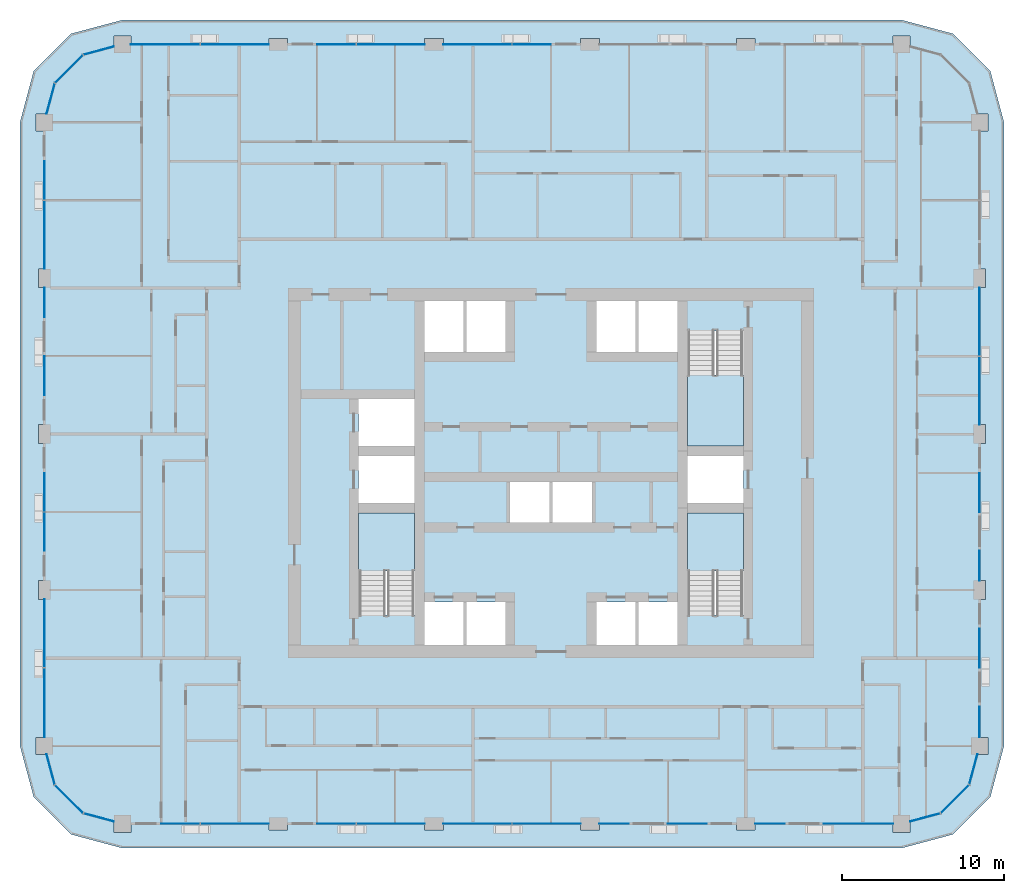
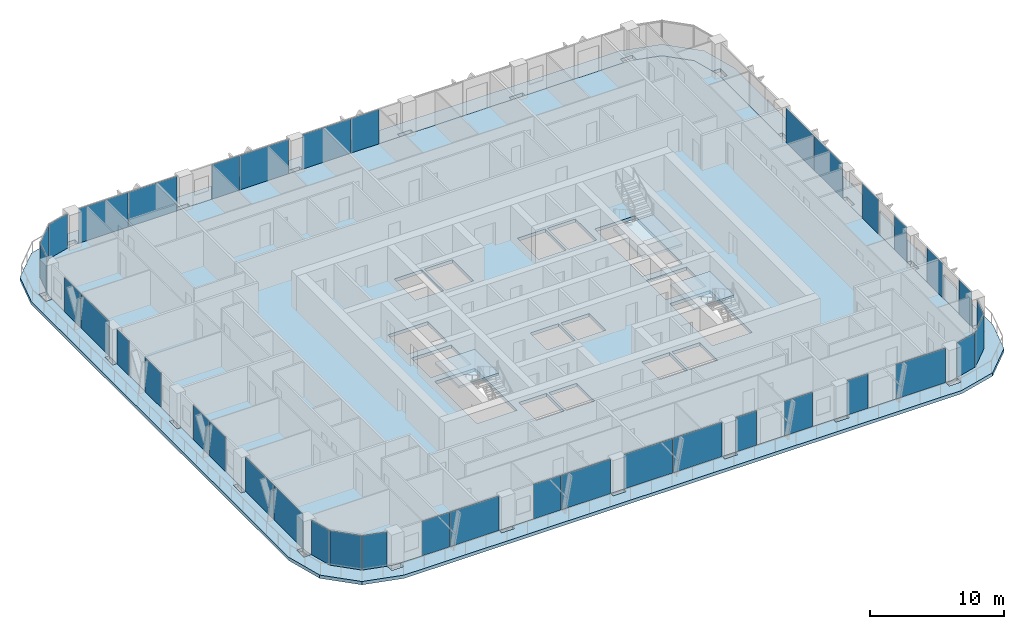
# One storey, part 7 of 22: 39 plates, 5 slabs, 21 elements without a shape of their own.
"""IFC4 building model written with IfcOpenShell, lengths in metres."""

from ifc_helpers import new_model, si_unit, direction, frame, origin, origin_2d, place, context, subcontext, project, spatial, polyline, rectangle, outline, extrude, material, layer, layer_set, type_object, element, aggregate, save


model = new_model("IFC4")

# Units and contexts
model_context = context("Model", 3, precision=1e-05, world=origin(), true_north=direction((0.0, 1.0)))
body_context = subcontext(model_context, "Body", "Model", "MODEL_VIEW")
ifc_project = project(units=[si_unit("LENGTHUNIT", "METRE"), si_unit("AREAUNIT", "SQUARE_METRE"), si_unit("VOLUMEUNIT", "CUBIC_METRE"), si_unit("PLANEANGLEUNIT", "RADIAN"), si_unit("MASSUNIT", "GRAM", prefix="KILO")], contexts=[model_context])

# Site, building, storey
site_placement = place(None, origin())
site = spatial("IfcSite", under=ifc_project, at=site_placement, CompositionType="ELEMENT")
building_placement = place(site_placement, origin())
building = spatial("IfcBuilding", under=site, at=building_placement, Name="Madar Terraces", CompositionType="ELEMENT")
storey_placement = place(building_placement, frame((0.0, 0.0, 126.10009765625)))
storey = spatial("IfcBuildingStorey", under=building, at=storey_placement, Name="L32", CompositionType="ELEMENT", Elevation=126.10009765625)

# Slabs
ifc_material_1 = material(Name="Concrete C50/60", Category="concrete")
ifc_layer_1 = layer(ifc_material_1, 0.300048828125)
ifc_layer_set_1 = layer_set([ifc_layer_1], Name="Balcony band 300")
slab_type_1 = type_object("IfcSlabType", Name="Balcony band 300", PredefinedType="FLOOR", material=ifc_layer_set_1)
slab_1_placement = place(storey_placement, frame((0.0, 0.0, -0.300048828125)))
element("IfcSlab", 1, at=slab_1_placement, inside=storey, type_object=slab_type_1, Name="Balcony band", PredefinedType="FLOOR", context=body_context, shape_type="SweptSolid", body=[
    extrude(outline(polyline([(4.800048828125, 3.300048828125), (1.64990234375, 4.14404296875), (-0.656005859375, 6.449951171875), (-1.5, 9.60009765625), (-1.5, 48.0), (-0.656005859375, 51.14990234375), (1.64990234375, 53.4560546875), (4.800048828125, 54.300048828125), (52.800048828125, 54.300048828125), (55.949951171875, 53.4560546875), (58.256103515625, 51.14990234375), (59.10009765625, 48.0), (59.10009765625, 9.60009765625), (58.256103515625, 6.449951171875), (55.949951171875, 4.14404296875), (52.800048828125, 3.300048828125), (4.800048828125, 3.300048828125)]), holes=[polyline([(5.324951171875, 4.27490234375), (5.324951171875, 4.800048828125), (13.824951171875, 4.800048828125), (13.824951171875, 4.425048828125), (14.97509765625, 4.425048828125), (14.97509765625, 4.800048828125), (23.425048828125, 4.800048828125), (23.425048828125, 4.425048828125), (24.574951171875, 4.425048828125), (24.574951171875, 4.800048828125), (33.02490234375, 4.800048828125), (33.02490234375, 4.425048828125), (34.175048828125, 4.425048828125), (34.175048828125, 4.800048828125), (42.625, 4.800048828125), (42.625, 4.425048828125), (43.77490234375, 4.425048828125), (43.77490234375, 4.800048828125), (52.27490234375, 4.800048828125), (52.27490234375, 4.27490234375), (53.324951171875, 4.27490234375), (53.324951171875, 4.940673828125), (55.199951171875, 5.443115234375), (56.956787109375, 7.199951171875), (57.459228515625, 9.074951171875), (58.125, 9.074951171875), (58.125, 10.125), (57.60009765625, 10.125), (57.60009765625, 18.625), (57.97509765625, 18.625), (57.97509765625, 19.77490234375), (57.60009765625, 19.77490234375), (57.60009765625, 28.22509765625), (57.97509765625, 28.22509765625), (57.97509765625, 29.375), (57.60009765625, 29.375), (57.60009765625, 37.824951171875), (57.97509765625, 37.824951171875), (57.97509765625, 38.97509765625), (57.60009765625, 38.97509765625), (57.60009765625, 47.47509765625), (58.125, 47.47509765625), (58.125, 48.52490234375), (57.459228515625, 48.52490234375), (56.956787109375, 50.39990234375), (55.199951171875, 52.156982421875), (53.324951171875, 52.6591796875), (53.324951171875, 53.324951171875), (52.27490234375, 53.324951171875), (52.27490234375, 52.800048828125), (43.77490234375, 52.800048828125), (43.77490234375, 53.175048828125), (42.625, 53.175048828125), (42.625, 52.800048828125), (34.175048828125, 52.800048828125), (34.175048828125, 53.175048828125), (33.02490234375, 53.175048828125), (33.02490234375, 52.800048828125), (24.574951171875, 52.800048828125), (24.574951171875, 53.175048828125), (23.425048828125, 53.175048828125), (23.425048828125, 52.800048828125), (14.97509765625, 52.800048828125), (14.97509765625, 53.175048828125), (13.824951171875, 53.175048828125), (13.824951171875, 52.800048828125), (5.324951171875, 52.800048828125), (5.324951171875, 53.324951171875), (4.27490234375, 53.324951171875), (4.27490234375, 52.6591796875), (2.39990234375, 52.156982421875), (0.64306640625, 50.39990234375), (0.140625, 48.52490234375), (-0.52490234375, 48.52490234375), (-0.52490234375, 47.47509765625), (0.0, 47.47509765625), (0.0, 38.97509765625), (-0.375, 38.97509765625), (-0.375, 37.824951171875), (0.0, 37.824951171875), (0.0, 29.375), (-0.375, 29.375), (-0.375, 28.22509765625), (0.0, 28.22509765625), (0.0, 19.77490234375), (-0.375, 19.77490234375), (-0.375, 18.625), (0.0, 18.625), (0.0, 10.125), (-0.52490234375, 10.125), (-0.52490234375, 9.074951171875), (0.140625, 9.074951171875), (0.64306640625, 7.199951171875), (2.39990234375, 5.443115234375), (4.27490234375, 4.940673828125), (4.27490234375, 4.27490234375), (5.324951171875, 4.27490234375)])]), origin(), (0.0, 0.0, 1.0), 0.300048828125),
])
ifc_material_2 = material(Name="Concrete C50/60", Category="concrete")
ifc_layer_2 = layer(ifc_material_2, 0.300048828125)
ifc_layer_set_2 = layer_set([ifc_layer_2], Name="FS2 PT flat slab 300")
slab_type_2 = type_object("IfcSlabType", Name="FS2 PT flat slab 300", PredefinedType="FLOOR", material=ifc_layer_set_2)
slab_2_placement = place(storey_placement, frame((0.0, 0.0, -0.300048828125)))
element("IfcSlab", 2, at=slab_2_placement, inside=storey, type_object=slab_type_2, Name="Floor slab L32 (1)", PredefinedType="FLOOR", context=body_context, shape_type="SweptSolid", body=[
    extrude(outline(polyline([(52.800048828125, 4.800048828125), (55.199951171875, 5.443115234375), (56.95703125, 7.199951171875), (57.60009765625, 9.60009765625), (57.60009765625, 48.0), (56.95703125, 50.39990234375), (55.199951171875, 52.156982421875), (52.800048828125, 52.800048828125), (4.800048828125, 52.800048828125), (2.39990234375, 52.156982421875), (0.64306640625, 50.39990234375), (0.0, 48.0), (0.0, 9.60009765625), (0.64306640625, 7.199951171875), (2.39990234375, 5.443115234375), (4.800048828125, 4.800048828125), (52.800048828125, 4.800048828125)]), holes=[polyline([(23.39990234375, 15.800048828125), (23.39990234375, 18.449951171875), (25.800048828125, 18.449951171875), (25.800048828125, 15.800048828125), (23.39990234375, 15.800048828125)]), polyline([(26.0, 15.800048828125), (26.0, 18.449951171875), (28.39990234375, 18.449951171875), (28.39990234375, 15.800048828125), (26.0, 15.800048828125)]), polyline([(19.35009765625, 17.64990234375), (19.35009765625, 23.949951171875), (22.800048828125, 23.949951171875), (22.800048828125, 17.64990234375), (19.35009765625, 17.64990234375)]), polyline([(28.666748046875, 23.35009765625), (28.666748046875, 25.85009765625), (31.10009765625, 25.85009765625), (31.10009765625, 23.35009765625), (28.666748046875, 23.35009765625)]), polyline([(19.35009765625, 24.550048828125), (19.35009765625, 27.449951171875), (22.800048828125, 27.449951171875), (22.800048828125, 24.550048828125), (19.35009765625, 24.550048828125)]), polyline([(19.35009765625, 28.050048828125), (19.35009765625, 30.949951171875), (22.800048828125, 30.949951171875), (22.800048828125, 28.050048828125), (19.35009765625, 28.050048828125)]), polyline([(23.39990234375, 33.85009765625), (23.39990234375, 37.0), (25.800048828125, 37.0), (25.800048828125, 33.85009765625), (23.39990234375, 33.85009765625)]), polyline([(26.0, 33.85009765625), (26.0, 37.0), (28.39990234375, 37.0), (28.39990234375, 33.85009765625), (26.0, 33.85009765625)]), polyline([(34.0, 15.800048828125), (34.0, 18.449951171875), (36.39990234375, 18.449951171875), (36.39990234375, 15.800048828125), (34.0, 15.800048828125)]), polyline([(36.60009765625, 15.800048828125), (36.60009765625, 18.449951171875), (39.0, 18.449951171875), (39.0, 15.800048828125), (36.60009765625, 15.800048828125)]), polyline([(39.60009765625, 17.64990234375), (39.60009765625, 23.949951171875), (43.050048828125, 23.949951171875), (43.050048828125, 17.64990234375), (39.60009765625, 17.64990234375)]), polyline([(31.300048828125, 23.35009765625), (31.300048828125, 25.85009765625), (33.7333984375, 25.85009765625), (33.7333984375, 23.35009765625), (31.300048828125, 23.35009765625)]), polyline([(39.60009765625, 24.550048828125), (39.60009765625, 27.449951171875), (43.050048828125, 27.449951171875), (43.050048828125, 24.550048828125), (39.60009765625, 24.550048828125)]), polyline([(39.60009765625, 28.050048828125), (39.60009765625, 35.14990234375), (43.050048828125, 35.14990234375), (43.050048828125, 28.050048828125), (39.60009765625, 28.050048828125)]), polyline([(34.0, 33.85009765625), (34.0, 37.0), (36.39990234375, 37.0), (36.39990234375, 33.85009765625), (34.0, 33.85009765625)]), polyline([(36.60009765625, 33.85009765625), (36.60009765625, 37.0), (39.0, 37.0), (39.0, 33.85009765625), (36.60009765625, 33.85009765625)])]), origin(), (0.0, 0.0, 1.0), 0.300048828125),
])

# Curtain wall, plates
ifc_material_3 = material(Name="Glass, ceramic frit dark grey, with black aluminium frame", Category="aluminium")
ifc_layer_3 = layer(ifc_material_3, 0.199951171875)
ifc_layer_set_3 = layer_set([ifc_layer_3], Name="Facade curtain wall, fritted glass")
curtain_wall_type = type_object("IfcCurtainWallType", Name="Facade curtain wall, fritted glass", PredefinedType="NOTDEFINED", material=ifc_layer_set_3)
curtain_wall_1_placement = place(storey_placement, origin())
curtain_wall_1 = element("IfcCurtainWall", 3, at=curtain_wall_1_placement, inside=storey, type_object=curtain_wall_type, Name="Outer skin curtain wall south bay 1", PredefinedType="NOTDEFINED")
ifc_material_4 = material(Name="Glass, ceramic frit dark grey", Category="glass")
ifc_layer_4 = layer(ifc_material_4, 0.028076171875)
ifc_layer_set_4 = layer_set([ifc_layer_4], Name="Facade glass panel 28")
plate_type = type_object("IfcPlateType", Name="Facade glass panel 28", PredefinedType="CURTAIN_PANEL", material=ifc_layer_set_4)
plate_1_placement = place(storey_placement, frame((8.385009765625, 4.800048828125, 0.0), z_axis=(0.0, 0.0, 1.0), x_axis=(1.0, 0.0, 0.0)))
plate_1 = element("IfcPlate", 4, at=plate_1_placement, type_object=plate_type, Name="Panel 1", PredefinedType="CURTAIN_PANEL", context=body_context, shape_type="SweptSolid", body=[
    extrude(rectangle(XDim=2.3701171875, YDim=0.028076171875, at=origin_2d()), origin(), (0.0, 0.0, 1.0), 3.139892578125),
])
plate_2_placement = place(storey_placement, frame((11.7275390625, 4.800048828125, 0.0), z_axis=(0.0, 0.0, 1.0), x_axis=(1.0, 0.0, 0.0)))
plate_2 = element("IfcPlate", 5, at=plate_2_placement, type_object=plate_type, Name="Panel 2", PredefinedType="CURTAIN_PANEL", context=body_context, shape_type="SweptSolid", body=[
    extrude(rectangle(XDim=4.195068359375, YDim=0.028076171875, at=origin_2d()), origin(), (0.0, 0.0, 1.0), 3.139892578125),
])
aggregate(curtain_wall_1, [plate_1, plate_2])

curtain_wall_2_placement = place(storey_placement, origin())
curtain_wall_2 = element("IfcCurtainWall", 6, at=curtain_wall_2_placement, inside=storey, type_object=curtain_wall_type, Name="Outer skin curtain wall south bay 2", PredefinedType="NOTDEFINED")
plate_3_placement = place(storey_placement, frame((17.985107421875, 4.800048828125, 0.0), z_axis=(0.0, 0.0, 1.0), x_axis=(1.0, 0.0, 0.0)))
plate_3 = element("IfcPlate", 7, at=plate_3_placement, type_object=plate_type, Name="Panel 1", PredefinedType="CURTAIN_PANEL", context=body_context, shape_type="SweptSolid", body=[
    extrude(rectangle(XDim=2.3701171875, YDim=0.028076171875, at=origin_2d()), origin(), (0.0, 0.0, 1.0), 3.139892578125),
])
plate_4_placement = place(storey_placement, frame((21.327392578125, 4.800048828125, 0.0), z_axis=(0.0, 0.0, 1.0), x_axis=(1.0, 0.0, 0.0)))
plate_4 = element("IfcPlate", 8, at=plate_4_placement, type_object=plate_type, Name="Panel 2", PredefinedType="CURTAIN_PANEL", context=body_context, shape_type="SweptSolid", body=[
    extrude(rectangle(XDim=4.195068359375, YDim=0.028076171875, at=origin_2d()), origin(), (0.0, 0.0, 1.0), 3.139892578125),
])
aggregate(curtain_wall_2, [plate_3, plate_4])

curtain_wall_3_placement = place(storey_placement, origin())
curtain_wall_3 = element("IfcCurtainWall", 9, at=curtain_wall_3_placement, inside=storey, type_object=curtain_wall_type, Name="Outer skin curtain wall south bay 3", PredefinedType="NOTDEFINED")
plate_5_placement = place(storey_placement, frame((26.672607421875, 4.800048828125, 0.0), z_axis=(0.0, 0.0, 1.0), x_axis=(1.0, 0.0, 0.0)))
plate_5 = element("IfcPlate", 10, at=plate_5_placement, type_object=plate_type, Name="Panel 1", PredefinedType="CURTAIN_PANEL", context=body_context, shape_type="SweptSolid", body=[
    extrude(rectangle(XDim=4.195068359375, YDim=0.028076171875, at=origin_2d()), origin(), (0.0, 0.0, 1.0), 3.139892578125),
])
plate_6_placement = place(storey_placement, frame((30.927490234375, 4.800048828125, 0.0), z_axis=(0.0, 0.0, 1.0), x_axis=(1.0, 0.0, 0.0)))
plate_6 = element("IfcPlate", 11, at=plate_6_placement, type_object=plate_type, Name="Panel 2", PredefinedType="CURTAIN_PANEL", context=body_context, shape_type="SweptSolid", body=[
    extrude(rectangle(XDim=4.195068359375, YDim=0.028076171875, at=origin_2d()), origin(), (0.0, 0.0, 1.0), 3.139892578125),
])
aggregate(curtain_wall_3, [plate_5, plate_6])

curtain_wall_4_placement = place(storey_placement, origin())
curtain_wall_4 = element("IfcCurtainWall", 12, at=curtain_wall_4_placement, inside=storey, type_object=curtain_wall_type, Name="Outer skin curtain wall south bay 4", PredefinedType="NOTDEFINED")
plate_7_placement = place(storey_placement, frame((35.08740234375, 4.800048828125, 0.0), z_axis=(0.0, 0.0, 1.0), x_axis=(1.0, 0.0, 0.0)))
plate_7 = element("IfcPlate", 13, at=plate_7_placement, type_object=plate_type, Name="Panel 1", PredefinedType="CURTAIN_PANEL", context=body_context, shape_type="SweptSolid", body=[
    extrude(rectangle(XDim=1.824951171875, YDim=0.028076171875, at=origin_2d()), origin(), (0.0, 0.0, 1.0), 3.139892578125),
])
plate_8_placement = place(storey_placement, frame((39.60009765625, 4.800048828125, 0.0), z_axis=(0.0, 0.0, 1.0), x_axis=(1.0, 0.0, 0.0)))
plate_8 = element("IfcPlate", 14, at=plate_8_placement, type_object=plate_type, Name="Panel 2", PredefinedType="CURTAIN_PANEL", context=body_context, shape_type="SweptSolid", body=[
    extrude(rectangle(XDim=2.39990234375, YDim=0.028076171875, at=origin_2d()), origin(), (0.0, 0.0, 1.0), 3.139892578125),
])
aggregate(curtain_wall_4, [plate_7, plate_8])

curtain_wall_5_placement = place(storey_placement, origin())
curtain_wall_5 = element("IfcCurtainWall", 15, at=curtain_wall_5_placement, inside=storey, type_object=curtain_wall_type, Name="Outer skin curtain wall south bay 5", PredefinedType="NOTDEFINED")
plate_9_placement = place(storey_placement, frame((44.6875, 4.800048828125, 0.0), z_axis=(0.0, 0.0, 1.0), x_axis=(1.0, 0.0, 0.0)))
plate_9 = element("IfcPlate", 16, at=plate_9_placement, type_object=plate_type, Name="Panel 1", PredefinedType="CURTAIN_PANEL", context=body_context, shape_type="SweptSolid", body=[
    extrude(rectangle(XDim=1.824951171875, YDim=0.028076171875, at=origin_2d()), origin(), (0.0, 0.0, 1.0), 3.139892578125),
])
plate_10_placement = place(storey_placement, frame((50.137451171875, 4.800048828125, 0.0), z_axis=(0.0, 0.0, 1.0), x_axis=(1.0, 0.0, 0.0)))
plate_10 = element("IfcPlate", 17, at=plate_10_placement, type_object=plate_type, Name="Panel 2", PredefinedType="CURTAIN_PANEL", context=body_context, shape_type="SweptSolid", body=[
    extrude(rectangle(XDim=4.27490234375, YDim=0.028076171875, at=origin_2d()), origin(), (0.0, 0.0, 1.0), 3.139892578125),
])
aggregate(curtain_wall_5, [plate_9, plate_10])

curtain_wall_6_placement = place(storey_placement, origin())
curtain_wall_6 = element("IfcCurtainWall", 18, at=curtain_wall_6_placement, inside=storey, type_object=curtain_wall_type, Name="Outer skin curtain wall east bay 1", PredefinedType="NOTDEFINED")
plate_11_placement = place(storey_placement, frame((57.60009765625, 11.0625, 0.0), z_axis=(0.0, 0.0, 1.0), x_axis=(0.0, 1.0, 0.0)))
plate_11 = element("IfcPlate", 19, at=plate_11_placement, type_object=plate_type, Name="Panel 1", PredefinedType="CURTAIN_PANEL", context=body_context, shape_type="SweptSolid", body=[
    extrude(rectangle(XDim=1.875, YDim=0.028076171875, at=origin_2d()), origin(), (0.0, 0.0, 1.0), 3.139892578125),
])
plate_12_placement = place(storey_placement, frame((57.60009765625, 15.60009765625, 0.0), z_axis=(0.0, 0.0, 1.0), x_axis=(0.0, 1.0, 0.0)))
plate_12 = element("IfcPlate", 20, at=plate_12_placement, type_object=plate_type, Name="Panel 2", PredefinedType="CURTAIN_PANEL", context=body_context, shape_type="SweptSolid", body=[
    extrude(rectangle(XDim=2.39990234375, YDim=0.028076171875, at=origin_2d()), origin(), (0.0, 0.0, 1.0), 3.139892578125),
])
aggregate(curtain_wall_6, [plate_11, plate_12])

curtain_wall_7_placement = place(storey_placement, origin())
curtain_wall_7 = element("IfcCurtainWall", 21, at=curtain_wall_7_placement, inside=storey, type_object=curtain_wall_type, Name="Outer skin curtain wall east bay 2", PredefinedType="NOTDEFINED")
plate_13_placement = place(storey_placement, frame((57.60009765625, 20.6875, 0.0), z_axis=(0.0, 0.0, 1.0), x_axis=(0.0, 1.0, 0.0)))
plate_13 = element("IfcPlate", 22, at=plate_13_placement, type_object=plate_type, Name="Panel 1", PredefinedType="CURTAIN_PANEL", context=body_context, shape_type="SweptSolid", body=[
    extrude(rectangle(XDim=1.824951171875, YDim=0.028076171875, at=origin_2d()), origin(), (0.0, 0.0, 1.0), 3.139892578125),
])
plate_14_placement = place(storey_placement, frame((57.60009765625, 25.199951171875, 0.0), z_axis=(0.0, 0.0, 1.0), x_axis=(0.0, 1.0, 0.0)))
plate_14 = element("IfcPlate", 23, at=plate_14_placement, type_object=plate_type, Name="Panel 2", PredefinedType="CURTAIN_PANEL", context=body_context, shape_type="SweptSolid", body=[
    extrude(rectangle(XDim=2.39990234375, YDim=0.028076171875, at=origin_2d()), origin(), (0.0, 0.0, 1.0), 3.139892578125),
])
aggregate(curtain_wall_7, [plate_13, plate_14])

curtain_wall_8_placement = place(storey_placement, origin())
curtain_wall_8 = element("IfcCurtainWall", 24, at=curtain_wall_8_placement, inside=storey, type_object=curtain_wall_type, Name="Outer skin curtain wall east bay 3", PredefinedType="NOTDEFINED")
plate_15_placement = place(storey_placement, frame((57.60009765625, 31.472412109375, 0.0), z_axis=(0.0, 0.0, 1.0), x_axis=(0.0, 1.0, 0.0)))
plate_15 = element("IfcPlate", 25, at=plate_15_placement, type_object=plate_type, Name="Panel 1", PredefinedType="CURTAIN_PANEL", context=body_context, shape_type="SweptSolid", body=[
    extrude(rectangle(XDim=4.195068359375, YDim=0.028076171875, at=origin_2d()), origin(), (0.0, 0.0, 1.0), 3.139892578125),
])
plate_16_placement = place(storey_placement, frame((57.60009765625, 35.7275390625, 0.0), z_axis=(0.0, 0.0, 1.0), x_axis=(0.0, 1.0, 0.0)))
plate_16 = element("IfcPlate", 26, at=plate_16_placement, type_object=plate_type, Name="Panel 2", PredefinedType="CURTAIN_PANEL", context=body_context, shape_type="SweptSolid", body=[
    extrude(rectangle(XDim=4.195068359375, YDim=0.028076171875, at=origin_2d()), origin(), (0.0, 0.0, 1.0), 3.139892578125),
])
aggregate(curtain_wall_8, [plate_15, plate_16])

curtain_wall_9_placement = place(storey_placement, origin())
curtain_wall_9 = element("IfcCurtainWall", 27, at=curtain_wall_9_placement, inside=storey, type_object=curtain_wall_type, Name="Outer skin curtain wall north bay 3", PredefinedType="NOTDEFINED")
plate_17_placement = place(storey_placement, frame((30.014892578125, 52.800048828125, 0.0), z_axis=(0.0, 0.0, 1.0), x_axis=(-1.0, 0.0, 0.0)))
plate_17 = element("IfcPlate", 28, at=plate_17_placement, type_object=plate_type, Name="Panel 1", PredefinedType="CURTAIN_PANEL", context=body_context, shape_type="SweptSolid", body=[
    extrude(rectangle(XDim=2.3701171875, YDim=0.028076171875, at=origin_2d()), origin(), (0.0, 0.0, 1.0), 3.139892578125),
])
plate_18_placement = place(storey_placement, frame((26.672607421875, 52.800048828125, 0.0), z_axis=(0.0, 0.0, 1.0), x_axis=(-1.0, 0.0, 0.0)))
plate_18 = element("IfcPlate", 29, at=plate_18_placement, type_object=plate_type, Name="Panel 2", PredefinedType="CURTAIN_PANEL", context=body_context, shape_type="SweptSolid", body=[
    extrude(rectangle(XDim=4.195068359375, YDim=0.028076171875, at=origin_2d()), origin(), (0.0, 0.0, 1.0), 3.139892578125),
])
aggregate(curtain_wall_9, [plate_17, plate_18])

curtain_wall_10_placement = place(storey_placement, origin())
curtain_wall_10 = element("IfcCurtainWall", 30, at=curtain_wall_10_placement, inside=storey, type_object=curtain_wall_type, Name="Outer skin curtain wall north bay 4", PredefinedType="NOTDEFINED")
plate_19_placement = place(storey_placement, frame((21.327392578125, 52.800048828125, 0.0), z_axis=(0.0, 0.0, 1.0), x_axis=(-1.0, 0.0, 0.0)))
plate_19 = element("IfcPlate", 31, at=plate_19_placement, type_object=plate_type, Name="Panel 1", PredefinedType="CURTAIN_PANEL", context=body_context, shape_type="SweptSolid", body=[
    extrude(rectangle(XDim=4.195068359375, YDim=0.028076171875, at=origin_2d()), origin(), (0.0, 0.0, 1.0), 3.139892578125),
])
plate_20_placement = place(storey_placement, frame((17.985107421875, 52.800048828125, 0.0), z_axis=(0.0, 0.0, 1.0), x_axis=(-1.0, 0.0, 0.0)))
plate_20 = element("IfcPlate", 32, at=plate_20_placement, type_object=plate_type, Name="Panel 2", PredefinedType="CURTAIN_PANEL", context=body_context, shape_type="SweptSolid", body=[
    extrude(rectangle(XDim=2.3701171875, YDim=0.028076171875, at=origin_2d()), origin(), (0.0, 0.0, 1.0), 3.139892578125),
])
aggregate(curtain_wall_10, [plate_19, plate_20])

curtain_wall_11_placement = place(storey_placement, origin())
curtain_wall_11 = element("IfcCurtainWall", 33, at=curtain_wall_11_placement, inside=storey, type_object=curtain_wall_type, Name="Outer skin curtain wall north bay 5", PredefinedType="NOTDEFINED")
plate_21_placement = place(storey_placement, frame((11.7275390625, 52.800048828125, 0.0), z_axis=(0.0, 0.0, 1.0), x_axis=(-1.0, 0.0, 0.0)))
plate_21 = element("IfcPlate", 34, at=plate_21_placement, type_object=plate_type, Name="Panel 1", PredefinedType="CURTAIN_PANEL", context=body_context, shape_type="SweptSolid", body=[
    extrude(rectangle(XDim=4.195068359375, YDim=0.028076171875, at=origin_2d()), origin(), (0.0, 0.0, 1.0), 3.139892578125),
])
plate_22_placement = place(storey_placement, frame((7.447509765625, 52.800048828125, 0.0), z_axis=(0.0, 0.0, 1.0), x_axis=(-1.0, 0.0, 0.0)))
plate_22 = element("IfcPlate", 35, at=plate_22_placement, type_object=plate_type, Name="Panel 2", PredefinedType="CURTAIN_PANEL", context=body_context, shape_type="SweptSolid", body=[
    extrude(rectangle(XDim=4.2451171875, YDim=0.028076171875, at=origin_2d()), origin(), (0.0, 0.0, 1.0), 3.139892578125),
])
aggregate(curtain_wall_11, [plate_21, plate_22])

curtain_wall_12_placement = place(storey_placement, origin())
curtain_wall_12 = element("IfcCurtainWall", 36, at=curtain_wall_12_placement, inside=storey, type_object=curtain_wall_type, Name="Outer skin curtain wall west bay 1", PredefinedType="NOTDEFINED")
plate_23_placement = place(storey_placement, frame((0.0, 44.4150390625, 0.0), z_axis=(0.0, 0.0, 1.0), x_axis=(0.0, -1.0, 0.0)))
plate_23 = element("IfcPlate", 37, at=plate_23_placement, type_object=plate_type, Name="Panel 1", PredefinedType="CURTAIN_PANEL", context=body_context, shape_type="SweptSolid", body=[
    extrude(rectangle(XDim=2.3701171875, YDim=0.028076171875, at=origin_2d()), origin(), (0.0, 0.0, 1.0), 3.139892578125),
])
plate_24_placement = place(storey_placement, frame((0.0, 41.072509765625, 0.0), z_axis=(0.0, 0.0, 1.0), x_axis=(0.0, -1.0, 0.0)))
plate_24 = element("IfcPlate", 38, at=plate_24_placement, type_object=plate_type, Name="Panel 2", PredefinedType="CURTAIN_PANEL", context=body_context, shape_type="SweptSolid", body=[
    extrude(rectangle(XDim=4.195068359375, YDim=0.028076171875, at=origin_2d()), origin(), (0.0, 0.0, 1.0), 3.139892578125),
])
aggregate(curtain_wall_12, [plate_23, plate_24])

curtain_wall_13_placement = place(storey_placement, origin())
curtain_wall_13 = element("IfcCurtainWall", 39, at=curtain_wall_13_placement, inside=storey, type_object=curtain_wall_type, Name="Outer skin curtain wall west bay 2", PredefinedType="NOTDEFINED")
plate_25_placement = place(storey_placement, frame((0.0, 36.91259765625, 0.0), z_axis=(0.0, 0.0, 1.0), x_axis=(0.0, -1.0, 0.0)))
plate_25 = element("IfcPlate", 40, at=plate_25_placement, type_object=plate_type, Name="Panel 1", PredefinedType="CURTAIN_PANEL", context=body_context, shape_type="SweptSolid", body=[
    extrude(rectangle(XDim=1.824951171875, YDim=0.028076171875, at=origin_2d()), origin(), (0.0, 0.0, 1.0), 3.139892578125),
])
plate_26_placement = place(storey_placement, frame((0.0, 32.39990234375, 0.0), z_axis=(0.0, 0.0, 1.0), x_axis=(0.0, -1.0, 0.0)))
plate_26 = element("IfcPlate", 41, at=plate_26_placement, type_object=plate_type, Name="Panel 2", PredefinedType="CURTAIN_PANEL", context=body_context, shape_type="SweptSolid", body=[
    extrude(rectangle(XDim=2.39990234375, YDim=0.028076171875, at=origin_2d()), origin(), (0.0, 0.0, 1.0), 3.139892578125),
])
aggregate(curtain_wall_13, [plate_25, plate_26])

curtain_wall_14_placement = place(storey_placement, origin())
curtain_wall_14 = element("IfcCurtainWall", 42, at=curtain_wall_14_placement, inside=storey, type_object=curtain_wall_type, Name="Outer skin curtain wall west bay 3", PredefinedType="NOTDEFINED")
plate_27_placement = place(storey_placement, frame((0.0, 25.215087890625, 0.0), z_axis=(0.0, 0.0, 1.0), x_axis=(0.0, -1.0, 0.0)))
plate_27 = element("IfcPlate", 43, at=plate_27_placement, type_object=plate_type, Name="Panel 1", PredefinedType="CURTAIN_PANEL", context=body_context, shape_type="SweptSolid", body=[
    extrude(rectangle(XDim=2.3701171875, YDim=0.028076171875, at=origin_2d()), origin(), (0.0, 0.0, 1.0), 3.139892578125),
])
plate_28_placement = place(storey_placement, frame((0.0, 22.784912109375, 0.0), z_axis=(0.0, 0.0, 1.0), x_axis=(0.0, -1.0, 0.0)))
plate_28 = element("IfcPlate", 44, at=plate_28_placement, type_object=plate_type, Name="Panel 2", PredefinedType="CURTAIN_PANEL", context=body_context, shape_type="SweptSolid", body=[
    extrude(rectangle(XDim=2.3701171875, YDim=0.028076171875, at=origin_2d()), origin(), (0.0, 0.0, 1.0), 3.139892578125),
])
aggregate(curtain_wall_14, [plate_27, plate_28])

curtain_wall_15_placement = place(storey_placement, origin())
curtain_wall_15 = element("IfcCurtainWall", 45, at=curtain_wall_15_placement, inside=storey, type_object=curtain_wall_type, Name="Outer skin curtain wall west bay 4", PredefinedType="NOTDEFINED")
plate_29_placement = place(storey_placement, frame((0.0, 16.527587890625, 0.0), z_axis=(0.0, 0.0, 1.0), x_axis=(0.0, -1.0, 0.0)))
plate_29 = element("IfcPlate", 46, at=plate_29_placement, type_object=plate_type, Name="Panel 1", PredefinedType="CURTAIN_PANEL", context=body_context, shape_type="SweptSolid", body=[
    extrude(rectangle(XDim=4.195068359375, YDim=0.028076171875, at=origin_2d()), origin(), (0.0, 0.0, 1.0), 3.139892578125),
])
plate_30_placement = place(storey_placement, frame((0.0, 12.24755859375, 0.0), z_axis=(0.0, 0.0, 1.0), x_axis=(0.0, -1.0, 0.0)))
plate_30 = element("IfcPlate", 47, at=plate_30_placement, type_object=plate_type, Name="Panel 2", PredefinedType="CURTAIN_PANEL", context=body_context, shape_type="SweptSolid", body=[
    extrude(rectangle(XDim=4.2451171875, YDim=0.028076171875, at=origin_2d()), origin(), (0.0, 0.0, 1.0), 3.139892578125),
])
aggregate(curtain_wall_15, [plate_29, plate_30])

curtain_wall_16_placement = place(storey_placement, origin())
curtain_wall_16 = element("IfcCurtainWall", 48, at=curtain_wall_16_placement, inside=storey, type_object=curtain_wall_type, Name="Outer skin curtain wall south-east corner", PredefinedType="NOTDEFINED")
plate_31_placement = place(storey_placement, frame((54.248046875, 5.18798828125, 0.0), z_axis=(0.0, 0.0, 1.0), x_axis=(0.965925832509, 0.258819021888, 0.0)))
plate_31 = element("IfcPlate", 49, at=plate_31_placement, type_object=plate_type, Name="Panel 1", PredefinedType="CURTAIN_PANEL", context=body_context, shape_type="SweptSolid", body=[
    extrude(rectangle(XDim=1.9111328125, YDim=0.028076171875, at=origin_2d()), origin(), (0.0, 0.0, 1.0), 3.139892578125),
])
plate_32_placement = place(storey_placement, frame((56.078369140625, 6.321533203125, 0.0), z_axis=(0.0, 0.0, 1.0), x_axis=(0.707106781187, 0.707106781187, 0.0)))
plate_32 = element("IfcPlate", 50, at=plate_32_placement, type_object=plate_type, Name="Panel 2", PredefinedType="CURTAIN_PANEL", context=body_context, shape_type="SweptSolid", body=[
    extrude(rectangle(XDim=2.424560546875, YDim=0.028076171875, at=origin_2d()), origin(), (0.0, 0.0, 1.0), 3.139892578125),
])
plate_33_placement = place(storey_placement, frame((57.2119140625, 8.152099609375, 0.0), z_axis=(0.0, 0.0, 1.0), x_axis=(0.258819021888, 0.965925832509, 0.0)))
plate_33 = element("IfcPlate", 51, at=plate_33_placement, type_object=plate_type, Name="Panel 3", PredefinedType="CURTAIN_PANEL", context=body_context, shape_type="SweptSolid", body=[
    extrude(rectangle(XDim=1.9111328125, YDim=0.028076171875, at=origin_2d()), origin(), (0.0, 0.0, 1.0), 3.139892578125),
])
aggregate(curtain_wall_16, [plate_31, plate_32, plate_33])

curtain_wall_17_placement = place(storey_placement, origin())
curtain_wall_17 = element("IfcCurtainWall", 52, at=curtain_wall_17_placement, inside=storey, type_object=curtain_wall_type, Name="Outer skin curtain wall north-west corner", PredefinedType="NOTDEFINED")
plate_34_placement = place(storey_placement, frame((3.35205078125, 52.412109375, 0.0), z_axis=(0.0, 0.0, 1.0), x_axis=(-0.965925832509, -0.258819021888, 0.0)))
plate_34 = element("IfcPlate", 53, at=plate_34_placement, type_object=plate_type, Name="Panel 1", PredefinedType="CURTAIN_PANEL", context=body_context, shape_type="SweptSolid", body=[
    extrude(rectangle(XDim=1.9111328125, YDim=0.028076171875, at=origin_2d()), origin(), (0.0, 0.0, 1.0), 3.139892578125),
])
plate_35_placement = place(storey_placement, frame((1.521484375, 51.278564453125, 0.0), z_axis=(0.0, 0.0, 1.0), x_axis=(-0.707106781187, -0.707106781187, 0.0)))
plate_35 = element("IfcPlate", 54, at=plate_35_placement, type_object=plate_type, Name="Panel 2", PredefinedType="CURTAIN_PANEL", context=body_context, shape_type="SweptSolid", body=[
    extrude(rectangle(XDim=2.424560546875, YDim=0.028076171875, at=origin_2d()), origin(), (0.0, 0.0, 1.0), 3.139892578125),
])
plate_36_placement = place(storey_placement, frame((0.387939453125, 49.447998046875, 0.0), z_axis=(0.0, 0.0, 1.0), x_axis=(-0.258819021888, -0.965925832509, 0.0)))
plate_36 = element("IfcPlate", 55, at=plate_36_placement, type_object=plate_type, Name="Panel 3", PredefinedType="CURTAIN_PANEL", context=body_context, shape_type="SweptSolid", body=[
    extrude(rectangle(XDim=1.9111328125, YDim=0.028076171875, at=origin_2d()), origin(), (0.0, 0.0, 1.0), 3.139892578125),
])
aggregate(curtain_wall_17, [plate_34, plate_35, plate_36])

curtain_wall_18_placement = place(storey_placement, origin())
curtain_wall_18 = element("IfcCurtainWall", 56, at=curtain_wall_18_placement, inside=storey, type_object=curtain_wall_type, Name="Outer skin curtain wall south-west corner", PredefinedType="NOTDEFINED")
plate_37_placement = place(storey_placement, frame((0.387939453125, 8.152099609375, 0.0), z_axis=(0.0, 0.0, 1.0), x_axis=(0.258819021888, -0.965925832509, 0.0)))
plate_37 = element("IfcPlate", 57, at=plate_37_placement, type_object=plate_type, Name="Panel 1", PredefinedType="CURTAIN_PANEL", context=body_context, shape_type="SweptSolid", body=[
    extrude(rectangle(XDim=1.9111328125, YDim=0.028076171875, at=origin_2d()), origin(), (0.0, 0.0, 1.0), 3.139892578125),
])
plate_38_placement = place(storey_placement, frame((1.521484375, 6.321533203125, 0.0), z_axis=(0.0, 0.0, 1.0), x_axis=(0.707106781187, -0.707106781187, 0.0)))
plate_38 = element("IfcPlate", 58, at=plate_38_placement, type_object=plate_type, Name="Panel 2", PredefinedType="CURTAIN_PANEL", context=body_context, shape_type="SweptSolid", body=[
    extrude(rectangle(XDim=2.424560546875, YDim=0.028076171875, at=origin_2d()), origin(), (0.0, 0.0, 1.0), 3.139892578125),
])
plate_39_placement = place(storey_placement, frame((3.35205078125, 5.18798828125, 0.0), z_axis=(0.0, 0.0, 1.0), x_axis=(0.965925832509, -0.258819021888, 0.0)))
plate_39 = element("IfcPlate", 59, at=plate_39_placement, type_object=plate_type, Name="Panel 3", PredefinedType="CURTAIN_PANEL", context=body_context, shape_type="SweptSolid", body=[
    extrude(rectangle(XDim=1.9111328125, YDim=0.028076171875, at=origin_2d()), origin(), (0.0, 0.0, 1.0), 3.139892578125),
])
aggregate(curtain_wall_18, [plate_37, plate_38, plate_39])

# Stair, slab
ifc_material_5 = material(Name="Concrete C50/60", Category="concrete")
stair_type_1 = type_object("IfcStairType", Name="Stair ST1 protected exit", PredefinedType="HALF_TURN_STAIR", material=ifc_material_5)
stair_1_placement = place(storey_placement, origin())
stair_1 = element("IfcStair", 60, at=stair_1_placement, inside=storey, type_object=stair_type_1, Name="L32 Protected Exit Stair ST1", PredefinedType="HALF_TURN_STAIR")
ifc_material_6 = material(Name="Concrete C50/60", Category="concrete")
ifc_layer_5 = layer(ifc_material_6, 0.199951171875)
ifc_layer_set_5 = layer_set([ifc_layer_5], Name="Stair landing 200, top +1.75")
slab_type_3 = type_object("IfcSlabType", Name="Stair landing 200, top +1.75", PredefinedType="LANDING", material=ifc_layer_set_5)
slab_3_placement = place(storey_placement, frame((0.0, 0.0, 1.5498046875)))
slab_3 = element("IfcSlab", 61, at=slab_3_placement, type_object=slab_type_3, Name="ST1 landing 1", PredefinedType="LANDING", context=body_context, shape_type="SweptSolid", body=[
    extrude(outline(polyline([(19.35009765625, 20.360107421875), (22.800048828125, 20.360107421875), (22.800048828125, 23.949951171875), (19.35009765625, 23.949951171875), (19.35009765625, 20.360107421875)])), origin(), (0.0, 0.0, 1.0), 0.2001953125),
])
aggregate(stair_1, [slab_3])

ifc_material_7 = material(Name="Concrete C50/60", Category="concrete")
stair_type_2 = type_object("IfcStairType", Name="Stair ST2 protected exit", PredefinedType="HALF_TURN_STAIR", material=ifc_material_7)
stair_2_placement = place(storey_placement, origin())
stair_2 = element("IfcStair", 62, at=stair_2_placement, inside=storey, type_object=stair_type_2, Name="L32 Protected Exit Stair ST2", PredefinedType="HALF_TURN_STAIR")
slab_4_placement = place(storey_placement, frame((0.0, 0.0, 1.5498046875)))
slab_4 = element("IfcSlab", 63, at=slab_4_placement, type_object=slab_type_3, Name="ST2 landing 1", PredefinedType="LANDING", context=body_context, shape_type="SweptSolid", body=[
    extrude(outline(polyline([(39.60009765625, 28.050048828125), (43.050048828125, 28.050048828125), (43.050048828125, 32.43994140625), (39.60009765625, 32.43994140625), (39.60009765625, 28.050048828125)])), origin(), (0.0, 0.0, 1.0), 0.2001953125),
])
aggregate(stair_2, [slab_4])

ifc_material_8 = material(Name="Concrete C50/60", Category="concrete")
stair_type_3 = type_object("IfcStairType", Name="Stair ST3 protected exit", PredefinedType="HALF_TURN_STAIR", material=ifc_material_8)
stair_3_placement = place(storey_placement, origin())
stair_3 = element("IfcStair", 64, at=stair_3_placement, inside=storey, type_object=stair_type_3, Name="L32 Protected Exit Stair ST3", PredefinedType="HALF_TURN_STAIR")
slab_5_placement = place(storey_placement, frame((0.0, 0.0, 1.5498046875)))
slab_5 = element("IfcSlab", 65, at=slab_5_placement, type_object=slab_type_3, Name="ST3 landing 1", PredefinedType="LANDING", context=body_context, shape_type="SweptSolid", body=[
    extrude(outline(polyline([(39.60009765625, 20.360107421875), (43.050048828125, 20.360107421875), (43.050048828125, 23.949951171875), (39.60009765625, 23.949951171875), (39.60009765625, 20.360107421875)])), origin(), (0.0, 0.0, 1.0), 0.2001953125),
])
aggregate(stair_3, [slab_5])

save(model, "model.ifc")
